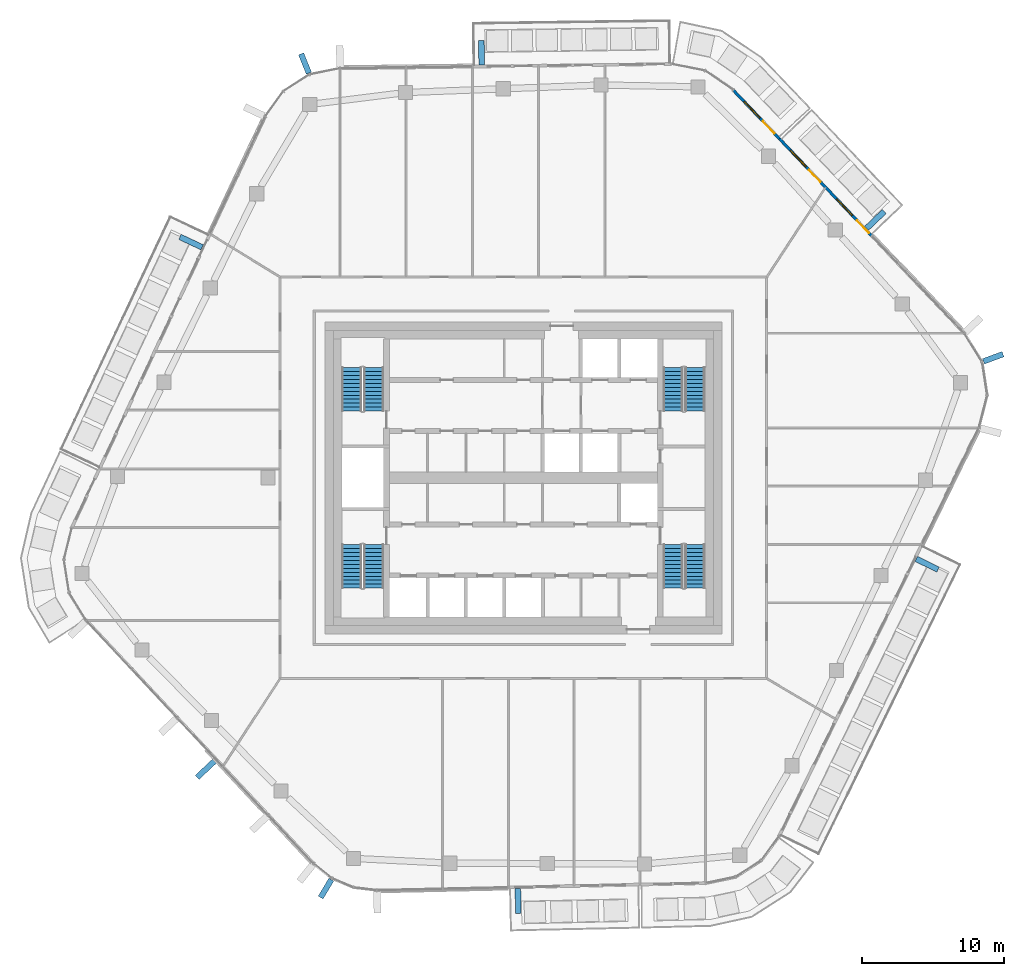
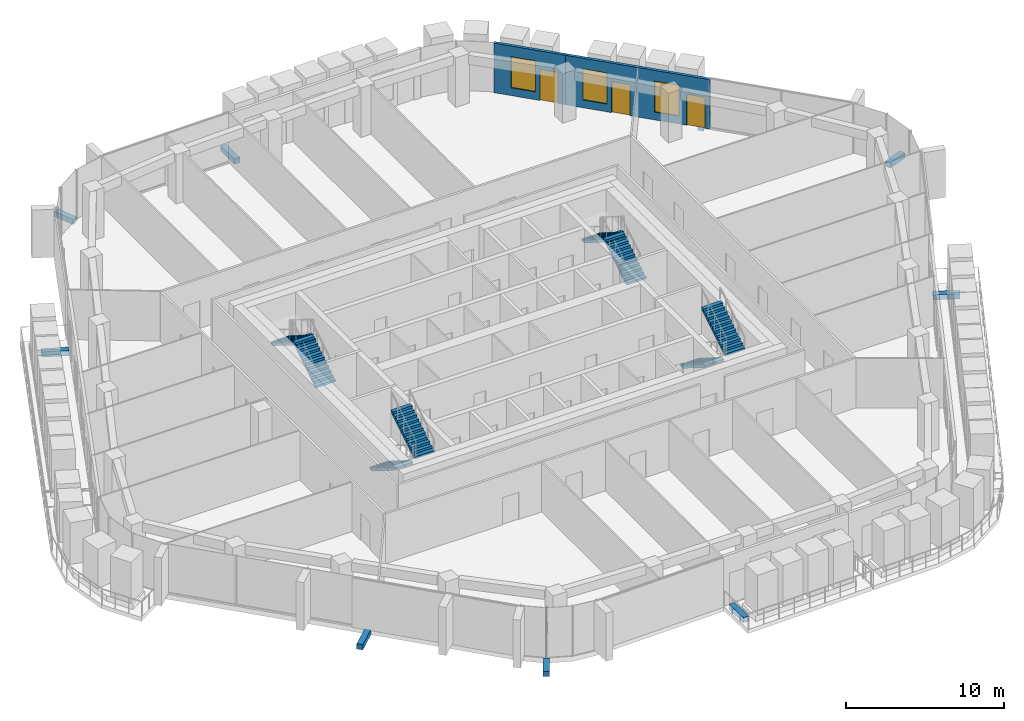
# One storey, part 17 of 23: 9 discrete accessories, 8 stair flights, 3 doors, 3 windows, 2 walls, 6 openings, 4 elements without a shape of their own.
"""IFC4 building model written with IfcOpenShell, lengths in metres."""

from ifc_helpers import new_model, si_unit, direction, frame, frame_2d, origin, origin_2d, place, context, subcontext, project, spatial, polyline, rectangle, outline, extrude, material, layer, layer_set, type_object, element, fill, aggregate, save


model = new_model("IFC4")

# Units and contexts
model_context = context("Model", 3, precision=1e-05, world=origin(), true_north=direction((0.0, 1.0)))
body_context = subcontext(model_context, "Body", "Model", "MODEL_VIEW")
ifc_project = project(units=[si_unit("LENGTHUNIT", "METRE"), si_unit("AREAUNIT", "SQUARE_METRE"), si_unit("VOLUMEUNIT", "CUBIC_METRE"), si_unit("PLANEANGLEUNIT", "RADIAN"), si_unit("MASSUNIT", "GRAM", prefix="KILO")], contexts=[model_context])

# Site, building, storey
site_placement = place(None, origin())
site = spatial("IfcSite", under=ifc_project, at=site_placement, CompositionType="ELEMENT")
building_placement = place(site_placement, origin())
building = spatial("IfcBuilding", under=site, at=building_placement, Name="Dongbaek Canopy Tower", CompositionType="ELEMENT")
storey_placement = place(building_placement, frame((0.0, 0.0, 336.199951171875)))
storey = spatial("IfcBuildingStorey", under=building, at=storey_placement, Name="L72", CompositionType="ELEMENT", Elevation=336.199951171875)

# Wall, openings, doors, windows
ifc_material_1 = material(Name="Aluminium window wall", Category="aluminium")
ifc_layer_1 = layer(ifc_material_1, 0.199951171875)
ifc_layer_set_1 = layer_set([ifc_layer_1], Name="Window wall 200")
wall_type = type_object("IfcWallType", Name="Window wall 200", PredefinedType="SOLIDWALL", material=ifc_layer_set_1)
wall_1_placement = place(storey_placement, frame((24.5634765625, 17.048583984375, 0.0), z_axis=(0.0, 0.0, 1.0), x_axis=(-0.688807081371, 0.724944690755, 0.0)))
wall_1 = element("IfcWall", 1, at=wall_1_placement, inside=storey, type_object=wall_type, Name="Window wall L72 1", PredefinedType="SOLIDWALL", context=body_context, shape_type="SweptSolid", body=[
    extrude(rectangle(XDim=9.46484375, YDim=0.199951171875, at=frame_2d((4.732421875, 0.0))), origin(), (0.0, 0.0, 1.0), 3.820068359375),
])
opening_1_placement = place(wall_1_placement, frame((2.0, 0.0, 0.60009765625)))
opening_1 = element("IfcOpeningElement", 2, at=opening_1_placement, cuts=wall_1, Name="Opening W1", PredefinedType="OPENING", context=body_context, shape_type="SweptSolid", body=[
    extrude(rectangle(XDim=1.60009765625, YDim=2.39990234375, at=frame_2d((0.800048828125, 1.199951171875))), frame((0.0, 0.10986328125, 0.0), z_axis=(0.0, -1.0, 0.0), x_axis=(1.0, 0.0, 0.0)), (0.0, 0.0, 1.0), 0.219970703125),
])
opening_2_placement = place(wall_1_placement, frame((0.300048828125, 0.0, 0.0)))
opening_2 = element("IfcOpeningElement", 3, at=opening_2_placement, cuts=wall_1, Name="Opening L72-B01", PredefinedType="OPENING", context=body_context, shape_type="SweptSolid", body=[
    extrude(rectangle(XDim=1.199951171875, YDim=2.39990234375, at=frame_2d((0.60009765625, 1.199951171875))), frame((0.0, 0.10986328125, 0.0), z_axis=(0.0, -1.0, 0.0), x_axis=(1.0, 0.0, 0.0)), (0.0, 0.0, 1.0), 0.219970703125),
])
opening_3_placement = place(wall_1_placement, frame((6.732666015625, 0.0, 0.60009765625)))
opening_3 = element("IfcOpeningElement", 4, at=opening_3_placement, cuts=wall_1, Name="Opening W1", PredefinedType="OPENING", context=body_context, shape_type="SweptSolid", body=[
    extrude(rectangle(XDim=1.60009765625, YDim=2.39990234375, at=frame_2d((0.800048828125, 1.199951171875))), frame((0.0, 0.10986328125, 0.0), z_axis=(0.0, -1.0, 0.0), x_axis=(1.0, 0.0, 0.0)), (0.0, 0.0, 1.0), 0.219970703125),
])
opening_4_placement = place(wall_1_placement, frame((5.232666015625, 0.0, 0.0)))
opening_4 = element("IfcOpeningElement", 5, at=opening_4_placement, cuts=wall_1, Name="Opening L72-B02", PredefinedType="OPENING", context=body_context, shape_type="SweptSolid", body=[
    extrude(rectangle(XDim=1.199951171875, YDim=2.39990234375, at=frame_2d((0.60009765625, 1.199951171875))), frame((0.0, 0.10986328125, 0.0), z_axis=(0.0, -1.0, 0.0), x_axis=(1.0, 0.0, 0.0)), (0.0, 0.0, 1.0), 0.219970703125),
])
ifc_material_2 = material(Name="Clear glazing in aluminium frame", Category="aluminium")
door_type = type_object("IfcDoorType", Name="Balcony door BD1 1200 x 2400", OperationType="SLIDING_TO_LEFT", PredefinedType="DOOR", material=ifc_material_2)
door_1_placement = place(opening_2_placement, origin())
door_1 = element("IfcDoor", 6, at=door_1_placement, inside=storey, type_object=door_type, Name="Balcony door L72-B01", OperationType="SLIDING_TO_LEFT", OverallHeight=2.39990234375, OverallWidth=1.199951171875, PredefinedType="DOOR", context=body_context, shape_type="SweptSolid", body=[
    extrude(rectangle(XDim=1.199951171875, YDim=2.39990234375, at=frame_2d((0.60009765625, 1.199951171875))), frame((0.0, 0.02490234375, 0.0), z_axis=(0.0, -1.0, 0.0), x_axis=(1.0, 0.0, 0.0)), (0.0, 0.0, 1.0), 0.050048828125),
])
fill(opening_2, door_1)
door_2_placement = place(opening_4_placement, origin())
door_2 = element("IfcDoor", 7, at=door_2_placement, inside=storey, type_object=door_type, Name="Balcony door L72-B02", OperationType="SLIDING_TO_LEFT", OverallHeight=2.39990234375, OverallWidth=1.199951171875, PredefinedType="DOOR", context=body_context, shape_type="SweptSolid", body=[
    extrude(rectangle(XDim=1.199951171875, YDim=2.39990234375, at=frame_2d((0.60009765625, 1.199951171875))), frame((0.0, 0.02490234375, 0.0), z_axis=(0.0, -1.0, 0.0), x_axis=(1.0, 0.0, 0.0)), (0.0, 0.0, 1.0), 0.050048828125),
])
fill(opening_4, door_2)
ifc_material_3 = material(Name="Clear glazing in aluminium frame", Category="aluminium")
window_type = type_object("IfcWindowType", Name="Window W1 1600 x 2400", PartitioningType="SINGLE_PANEL", PredefinedType="WINDOW", material=ifc_material_3)
window_1_placement = place(opening_1_placement, origin())
window_1 = element("IfcWindow", 8, at=window_1_placement, inside=storey, type_object=window_type, Name="Window L72 1.1", OverallHeight=2.39990234375, OverallWidth=1.60009765625, PartitioningType="SINGLE_PANEL", PredefinedType="WINDOW", context=body_context, shape_type="SweptSolid", body=[
    extrude(rectangle(XDim=1.60009765625, YDim=2.39990234375, at=frame_2d((0.800048828125, 1.199951171875))), frame((0.0, 0.030029296875, 0.0), z_axis=(0.0, -1.0, 0.0), x_axis=(1.0, 0.0, 0.0)), (0.0, 0.0, 1.0), 0.06005859375),
])
fill(opening_1, window_1)
window_2_placement = place(opening_3_placement, origin())
window_2 = element("IfcWindow", 9, at=window_2_placement, inside=storey, type_object=window_type, Name="Window L72 1.2", OverallHeight=2.39990234375, OverallWidth=1.60009765625, PartitioningType="SINGLE_PANEL", PredefinedType="WINDOW", context=body_context, shape_type="SweptSolid", body=[
    extrude(rectangle(XDim=1.60009765625, YDim=2.39990234375, at=frame_2d((0.800048828125, 1.199951171875))), frame((0.0, 0.030029296875, 0.0), z_axis=(0.0, -1.0, 0.0), x_axis=(1.0, 0.0, 0.0)), (0.0, 0.0, 1.0), 0.06005859375),
])
fill(opening_3, window_2)

# Wall, openings, door, window
wall_2_placement = place(storey_placement, frame((18.0439453125, 23.91015625, 0.0), z_axis=(0.0, 0.0, 1.0), x_axis=(-0.688806527413, 0.724945217098, 0.0)))
wall_2 = element("IfcWall", 10, at=wall_2_placement, inside=storey, type_object=wall_type, Name="Window wall L72 6", PredefinedType="SOLIDWALL", context=body_context, shape_type="SweptSolid", body=[
    extrude(rectangle(XDim=4.72216796875, YDim=0.199951171875, at=frame_2d((2.361083984375, 0.0))), origin(), (0.0, 0.0, 1.0), 3.820068359375),
])
opening_5_placement = place(wall_2_placement, frame((2.0, 0.0, 0.60009765625)))
opening_5 = element("IfcOpeningElement", 11, at=opening_5_placement, cuts=wall_2, Name="Opening W1", PredefinedType="OPENING", context=body_context, shape_type="SweptSolid", body=[
    extrude(rectangle(XDim=1.60009765625, YDim=2.39990234375, at=frame_2d((0.800048828125, 1.199951171875))), frame((0.0, 0.10986328125, 0.0), z_axis=(0.0, -1.0, 0.0), x_axis=(1.0, 0.0, 0.0)), (0.0, 0.0, 1.0), 0.219970703125),
])
opening_6_placement = place(wall_2_placement, frame((0.5, 0.0, 0.0)))
opening_6 = element("IfcOpeningElement", 12, at=opening_6_placement, cuts=wall_2, Name="Opening L72-B03", PredefinedType="OPENING", context=body_context, shape_type="SweptSolid", body=[
    extrude(rectangle(XDim=1.199951171875, YDim=2.39990234375, at=frame_2d((0.60009765625, 1.199951171875))), frame((0.0, 0.10986328125, 0.0), z_axis=(0.0, -1.0, 0.0), x_axis=(1.0, 0.0, 0.0)), (0.0, 0.0, 1.0), 0.219970703125),
])
door_3_placement = place(opening_6_placement, origin())
door_3 = element("IfcDoor", 13, at=door_3_placement, inside=storey, type_object=door_type, Name="Balcony door L72-B03", OperationType="SLIDING_TO_LEFT", OverallHeight=2.39990234375, OverallWidth=1.199951171875, PredefinedType="DOOR", context=body_context, shape_type="SweptSolid", body=[
    extrude(rectangle(XDim=1.199951171875, YDim=2.39990234375, at=frame_2d((0.60009765625, 1.199951171875))), frame((0.0, 0.02490234375, 0.0), z_axis=(0.0, -1.0, 0.0), x_axis=(1.0, 0.0, 0.0)), (0.0, 0.0, 1.0), 0.050048828125),
])
fill(opening_6, door_3)
window_3_placement = place(opening_5_placement, origin())
window_3 = element("IfcWindow", 14, at=window_3_placement, inside=storey, type_object=window_type, Name="Window L72 6.1", OverallHeight=2.39990234375, OverallWidth=1.60009765625, PartitioningType="SINGLE_PANEL", PredefinedType="WINDOW", context=body_context, shape_type="SweptSolid", body=[
    extrude(rectangle(XDim=1.60009765625, YDim=2.39990234375, at=frame_2d((0.800048828125, 1.199951171875))), frame((0.0, 0.030029296875, 0.0), z_axis=(0.0, -1.0, 0.0), x_axis=(1.0, 0.0, 0.0)), (0.0, 0.0, 1.0), 0.06005859375),
])
fill(opening_5, window_3)

# Stair, stair flights
ifc_material_4 = material(Name="Concrete C40/50", Category="concrete")
stair_type = type_object("IfcStairType", Name="Core exit stair", PredefinedType="HALF_TURN_STAIR", material=ifc_material_4)
stair_1_placement = place(storey_placement, origin())
stair_1 = element("IfcStair", 15, at=stair_1_placement, inside=storey, type_object=stair_type, Name="L72 exit stair A", PredefinedType="HALF_TURN_STAIR")
ifc_material_5 = material(Name="Concrete C40/50", Category="concrete")
ifc_layer_2 = layer(ifc_material_5, 0.14990234375)
ifc_layer_set_2 = layer_set([ifc_layer_2], Name="Core stair flight 150 waist")
stair_flight_type = type_object("IfcStairFlightType", Name="Core stair flight 150 waist", PredefinedType="STRAIGHT", material=ifc_layer_set_2)
stair_flight_1_placement = place(storey_placement, frame((12.10009765625, 4.699951171875, 0.0), z_axis=(0.0, 0.0, 1.0), x_axis=(0.0, 1.0, 0.0)))
stair_flight_1 = element("IfcStairFlight", 16, at=stair_flight_1_placement, type_object=stair_flight_type, Name="ST-A flight 1", NumberOfRisers=12, NumberOfTreads=11, PredefinedType="STRAIGHT", RiserHeight=0.175, TreadLength=0.28, context=body_context, shape_type="SweptSolid", body=[
    extrude(outline(polyline([(0.0, 0.0), (0.0, 0.175048828125), (0.280029296875, 0.175048828125), (0.280029296875, 0.35009765625), (0.56005859375, 0.35009765625), (0.56005859375, 0.52490234375), (0.840087890625, 0.52490234375), (0.840087890625, 0.699951171875), (1.1201171875, 0.699951171875), (1.1201171875, 0.875), (1.39990234375, 0.875), (1.39990234375, 1.050048828125), (1.679931640625, 1.050048828125), (1.679931640625, 1.22509765625), (1.9599609375, 1.22509765625), (1.9599609375, 1.39990234375), (2.239990234375, 1.39990234375), (2.239990234375, 1.574951171875), (2.52001953125, 1.574951171875), (2.52001953125, 1.75), (2.800048828125, 1.75), (2.800048828125, 1.925048828125), (3.080078125, 1.925048828125), (3.080078125, 2.10009765625), (3.080078125, 1.748291015625), (0.28271484375, 0.0), (0.0, 0.0)])), frame((0.0, 0.699951171875, 0.0), z_axis=(0.0, -1.0, 0.0), x_axis=(1.0, 0.0, 0.0)), (0.0, 0.0, 1.0), 1.39990234375),
])
stair_flight_2_placement = place(storey_placement, frame((10.550048828125, 7.780029296875, 2.10009765625), z_axis=(0.0, 0.0, 1.0), x_axis=(0.0, -1.0, 0.0)))
stair_flight_2 = element("IfcStairFlight", 17, at=stair_flight_2_placement, type_object=stair_flight_type, Name="ST-A flight 2", NumberOfRisers=12, NumberOfTreads=11, PredefinedType="STRAIGHT", RiserHeight=0.175, TreadLength=0.28, context=body_context, shape_type="SweptSolid", body=[
    extrude(outline(polyline([(0.0, 0.0), (0.0, 0.175048828125), (0.280029296875, 0.175048828125), (0.280029296875, 0.35009765625), (0.56005859375, 0.35009765625), (0.56005859375, 0.52490234375), (0.840087890625, 0.52490234375), (0.840087890625, 0.699951171875), (1.1201171875, 0.699951171875), (1.1201171875, 0.875), (1.39990234375, 0.875), (1.39990234375, 1.050048828125), (1.679931640625, 1.050048828125), (1.679931640625, 1.22509765625), (1.9599609375, 1.22509765625), (1.9599609375, 1.39990234375), (2.239990234375, 1.39990234375), (2.239990234375, 1.574951171875), (2.52001953125, 1.574951171875), (2.52001953125, 1.75), (2.800048828125, 1.75), (2.800048828125, 1.925048828125), (3.080078125, 1.925048828125), (3.080078125, 2.10009765625), (3.080078125, 1.748291015625), (0.28271484375, 0.0), (0.0, 0.0)])), frame((0.0, 0.699951171875, 0.0), z_axis=(0.0, -1.0, 0.0), x_axis=(1.0, 0.0, 0.0)), (0.0, 0.0, 1.0), 1.39990234375),
])
aggregate(stair_1, [stair_flight_1, stair_flight_2])

stair_2_placement = place(storey_placement, origin())
stair_2 = element("IfcStair", 18, at=stair_2_placement, inside=storey, type_object=stair_type, Name="L72 exit stair C", PredefinedType="HALF_TURN_STAIR")
stair_flight_3_placement = place(storey_placement, frame((-10.550048828125, 4.699951171875, 0.0), z_axis=(0.0, 0.0, 1.0), x_axis=(0.0, 1.0, 0.0)))
stair_flight_3 = element("IfcStairFlight", 19, at=stair_flight_3_placement, type_object=stair_flight_type, Name="ST-C flight 1", NumberOfRisers=12, NumberOfTreads=11, PredefinedType="STRAIGHT", RiserHeight=0.175, TreadLength=0.28, context=body_context, shape_type="SweptSolid", body=[
    extrude(outline(polyline([(0.0, 0.0), (0.0, 0.175048828125), (0.280029296875, 0.175048828125), (0.280029296875, 0.35009765625), (0.56005859375, 0.35009765625), (0.56005859375, 0.52490234375), (0.840087890625, 0.52490234375), (0.840087890625, 0.699951171875), (1.1201171875, 0.699951171875), (1.1201171875, 0.875), (1.39990234375, 0.875), (1.39990234375, 1.050048828125), (1.679931640625, 1.050048828125), (1.679931640625, 1.22509765625), (1.9599609375, 1.22509765625), (1.9599609375, 1.39990234375), (2.239990234375, 1.39990234375), (2.239990234375, 1.574951171875), (2.52001953125, 1.574951171875), (2.52001953125, 1.75), (2.800048828125, 1.75), (2.800048828125, 1.925048828125), (3.080078125, 1.925048828125), (3.080078125, 2.10009765625), (3.080078125, 1.748291015625), (0.28271484375, 0.0), (0.0, 0.0)])), frame((0.0, 0.699951171875, 0.0), z_axis=(0.0, -1.0, 0.0), x_axis=(1.0, 0.0, 0.0)), (0.0, 0.0, 1.0), 1.39990234375),
])
stair_flight_4_placement = place(storey_placement, frame((-12.10009765625, 7.780029296875, 2.10009765625), z_axis=(0.0, 0.0, 1.0), x_axis=(0.0, -1.0, 0.0)))
stair_flight_4 = element("IfcStairFlight", 20, at=stair_flight_4_placement, type_object=stair_flight_type, Name="ST-C flight 2", NumberOfRisers=12, NumberOfTreads=11, PredefinedType="STRAIGHT", RiserHeight=0.175, TreadLength=0.28, context=body_context, shape_type="SweptSolid", body=[
    extrude(outline(polyline([(0.0, 0.0), (0.0, 0.175048828125), (0.280029296875, 0.175048828125), (0.280029296875, 0.35009765625), (0.56005859375, 0.35009765625), (0.56005859375, 0.52490234375), (0.840087890625, 0.52490234375), (0.840087890625, 0.699951171875), (1.1201171875, 0.699951171875), (1.1201171875, 0.875), (1.39990234375, 0.875), (1.39990234375, 1.050048828125), (1.679931640625, 1.050048828125), (1.679931640625, 1.22509765625), (1.9599609375, 1.22509765625), (1.9599609375, 1.39990234375), (2.239990234375, 1.39990234375), (2.239990234375, 1.574951171875), (2.52001953125, 1.574951171875), (2.52001953125, 1.75), (2.800048828125, 1.75), (2.800048828125, 1.925048828125), (3.080078125, 1.925048828125), (3.080078125, 2.10009765625), (3.080078125, 1.748291015625), (0.28271484375, 0.0), (0.0, 0.0)])), frame((0.0, 0.699951171875, 0.0), z_axis=(0.0, -1.0, 0.0), x_axis=(1.0, 0.0, 0.0)), (0.0, 0.0, 1.0), 1.39990234375),
])
aggregate(stair_2, [stair_flight_3, stair_flight_4])

stair_3_placement = place(storey_placement, origin())
stair_3 = element("IfcStair", 21, at=stair_3_placement, inside=storey, type_object=stair_type, Name="L72 exit stair B", PredefinedType="HALF_TURN_STAIR")
stair_flight_5_placement = place(storey_placement, frame((10.550048828125, -4.699951171875, 0.0), z_axis=(0.0, 0.0, 1.0), x_axis=(0.0, -1.0, 0.0)))
stair_flight_5 = element("IfcStairFlight", 22, at=stair_flight_5_placement, type_object=stair_flight_type, Name="ST-B flight 1", NumberOfRisers=12, NumberOfTreads=11, PredefinedType="STRAIGHT", RiserHeight=0.175, TreadLength=0.28, context=body_context, shape_type="SweptSolid", body=[
    extrude(outline(polyline([(0.0, 0.0), (0.0, 0.175048828125), (0.280029296875, 0.175048828125), (0.280029296875, 0.35009765625), (0.56005859375, 0.35009765625), (0.56005859375, 0.52490234375), (0.840087890625, 0.52490234375), (0.840087890625, 0.699951171875), (1.1201171875, 0.699951171875), (1.1201171875, 0.875), (1.39990234375, 0.875), (1.39990234375, 1.050048828125), (1.679931640625, 1.050048828125), (1.679931640625, 1.22509765625), (1.9599609375, 1.22509765625), (1.9599609375, 1.39990234375), (2.239990234375, 1.39990234375), (2.239990234375, 1.574951171875), (2.52001953125, 1.574951171875), (2.52001953125, 1.75), (2.800048828125, 1.75), (2.800048828125, 1.925048828125), (3.080078125, 1.925048828125), (3.080078125, 2.10009765625), (3.080078125, 1.748291015625), (0.28271484375, 0.0), (0.0, 0.0)])), frame((0.0, 0.699951171875, 0.0), z_axis=(0.0, -1.0, 0.0), x_axis=(1.0, 0.0, 0.0)), (0.0, 0.0, 1.0), 1.39990234375),
])
stair_flight_6_placement = place(storey_placement, frame((12.10009765625, -7.780029296875, 2.10009765625), z_axis=(0.0, 0.0, 1.0), x_axis=(0.0, 1.0, 0.0)))
stair_flight_6 = element("IfcStairFlight", 23, at=stair_flight_6_placement, type_object=stair_flight_type, Name="ST-B flight 2", NumberOfRisers=12, NumberOfTreads=11, PredefinedType="STRAIGHT", RiserHeight=0.175, TreadLength=0.28, context=body_context, shape_type="SweptSolid", body=[
    extrude(outline(polyline([(0.0, 0.0), (0.0, 0.175048828125), (0.280029296875, 0.175048828125), (0.280029296875, 0.35009765625), (0.56005859375, 0.35009765625), (0.56005859375, 0.52490234375), (0.840087890625, 0.52490234375), (0.840087890625, 0.699951171875), (1.1201171875, 0.699951171875), (1.1201171875, 0.875), (1.39990234375, 0.875), (1.39990234375, 1.050048828125), (1.679931640625, 1.050048828125), (1.679931640625, 1.22509765625), (1.9599609375, 1.22509765625), (1.9599609375, 1.39990234375), (2.239990234375, 1.39990234375), (2.239990234375, 1.574951171875), (2.52001953125, 1.574951171875), (2.52001953125, 1.75), (2.800048828125, 1.75), (2.800048828125, 1.925048828125), (3.080078125, 1.925048828125), (3.080078125, 2.10009765625), (3.080078125, 1.748291015625), (0.28271484375, 0.0), (0.0, 0.0)])), frame((0.0, 0.699951171875, 0.0), z_axis=(0.0, -1.0, 0.0), x_axis=(1.0, 0.0, 0.0)), (0.0, 0.0, 1.0), 1.39990234375),
])
aggregate(stair_3, [stair_flight_5, stair_flight_6])

stair_4_placement = place(storey_placement, origin())
stair_4 = element("IfcStair", 24, at=stair_4_placement, inside=storey, type_object=stair_type, Name="L72 exit stair D", PredefinedType="HALF_TURN_STAIR")
stair_flight_7_placement = place(storey_placement, frame((-12.10009765625, -4.699951171875, 0.0), z_axis=(0.0, 0.0, 1.0), x_axis=(0.0, -1.0, 0.0)))
stair_flight_7 = element("IfcStairFlight", 25, at=stair_flight_7_placement, type_object=stair_flight_type, Name="ST-D flight 1", NumberOfRisers=12, NumberOfTreads=11, PredefinedType="STRAIGHT", RiserHeight=0.175, TreadLength=0.28, context=body_context, shape_type="SweptSolid", body=[
    extrude(outline(polyline([(0.0, 0.0), (0.0, 0.175048828125), (0.280029296875, 0.175048828125), (0.280029296875, 0.35009765625), (0.56005859375, 0.35009765625), (0.56005859375, 0.52490234375), (0.840087890625, 0.52490234375), (0.840087890625, 0.699951171875), (1.1201171875, 0.699951171875), (1.1201171875, 0.875), (1.39990234375, 0.875), (1.39990234375, 1.050048828125), (1.679931640625, 1.050048828125), (1.679931640625, 1.22509765625), (1.9599609375, 1.22509765625), (1.9599609375, 1.39990234375), (2.239990234375, 1.39990234375), (2.239990234375, 1.574951171875), (2.52001953125, 1.574951171875), (2.52001953125, 1.75), (2.800048828125, 1.75), (2.800048828125, 1.925048828125), (3.080078125, 1.925048828125), (3.080078125, 2.10009765625), (3.080078125, 1.748291015625), (0.28271484375, 0.0), (0.0, 0.0)])), frame((0.0, 0.699951171875, 0.0), z_axis=(0.0, -1.0, 0.0), x_axis=(1.0, 0.0, 0.0)), (0.0, 0.0, 1.0), 1.39990234375),
])
stair_flight_8_placement = place(storey_placement, frame((-10.550048828125, -7.780029296875, 2.10009765625), z_axis=(0.0, 0.0, 1.0), x_axis=(0.0, 1.0, 0.0)))
stair_flight_8 = element("IfcStairFlight", 26, at=stair_flight_8_placement, type_object=stair_flight_type, Name="ST-D flight 2", NumberOfRisers=12, NumberOfTreads=11, PredefinedType="STRAIGHT", RiserHeight=0.175, TreadLength=0.28, context=body_context, shape_type="SweptSolid", body=[
    extrude(outline(polyline([(0.0, 0.0), (0.0, 0.175048828125), (0.280029296875, 0.175048828125), (0.280029296875, 0.35009765625), (0.56005859375, 0.35009765625), (0.56005859375, 0.52490234375), (0.840087890625, 0.52490234375), (0.840087890625, 0.699951171875), (1.1201171875, 0.699951171875), (1.1201171875, 0.875), (1.39990234375, 0.875), (1.39990234375, 1.050048828125), (1.679931640625, 1.050048828125), (1.679931640625, 1.22509765625), (1.9599609375, 1.22509765625), (1.9599609375, 1.39990234375), (2.239990234375, 1.39990234375), (2.239990234375, 1.574951171875), (2.52001953125, 1.574951171875), (2.52001953125, 1.75), (2.800048828125, 1.75), (2.800048828125, 1.925048828125), (3.080078125, 1.925048828125), (3.080078125, 2.10009765625), (3.080078125, 1.748291015625), (0.28271484375, 0.0), (0.0, 0.0)])), frame((0.0, 0.699951171875, 0.0), z_axis=(0.0, -1.0, 0.0), x_axis=(1.0, 0.0, 0.0)), (0.0, 0.0, 1.0), 1.39990234375),
])
aggregate(stair_4, [stair_flight_7, stair_flight_8])

# Discrete accessories
ifc_material_6 = material(Name="Galvanised steel S355 bracket", Category="steel")
discrete_accessory_type = type_object("IfcDiscreteAccessoryType", Name="Crease fin bracket BR3 400", PredefinedType="BRACKET", material=ifc_material_6)
discrete_accessory_1_placement = place(storey_placement, frame((28.46337890625, -6.09326171875, -0.389892578125), z_axis=(0.0, 0.0, 1.0), x_axis=(0.898322224114, -0.439337207238, 0.0)))
element("IfcDiscreteAccessory", 27, at=discrete_accessory_1_placement, inside=storey, type_object=discrete_accessory_type, Name="Crease fin bracket L72 F5", PredefinedType="BRACKET", context=body_context, shape_type="SweptSolid", body=[
    extrude(rectangle(XDim=1.71142578125, YDim=0.39990234375, at=origin_2d()), origin(), (0.0, 0.0, 1.0), 0.39990234375),
])
discrete_accessory_2_placement = place(storey_placement, frame((24.810791015625, 18.17822265625, -0.389892578125), z_axis=(0.0, 0.0, 1.0), x_axis=(0.724939317516, 0.688812736467, 0.0)))
element("IfcDiscreteAccessory", 28, at=discrete_accessory_2_placement, inside=storey, type_object=discrete_accessory_type, Name="Crease fin bracket L72 F0", PredefinedType="BRACKET", context=body_context, shape_type="SweptSolid", body=[
    extrude(rectangle(XDim=1.714599609375, YDim=0.39990234375, at=origin_2d()), origin(), (0.0, 0.0, 1.0), 0.39990234375),
])
discrete_accessory_3_placement = place(storey_placement, frame((-2.9541015625, 29.9619140625, -0.389892578125), z_axis=(0.0, 0.0, 1.0), x_axis=(-0.013164638263, 0.999913342395, 0.0)))
element("IfcDiscreteAccessory", 29, at=discrete_accessory_3_placement, inside=storey, type_object=discrete_accessory_type, Name="Crease fin bracket L72 F1", PredefinedType="BRACKET", context=body_context, shape_type="SweptSolid", body=[
    extrude(rectangle(XDim=1.72265625, YDim=0.39990234375, at=origin_2d()), origin(), (0.0, 0.0, 1.0), 0.39990234375),
])
discrete_accessory_4_placement = place(storey_placement, frame((-23.43310546875, 16.618408203125, -0.389892578125), z_axis=(0.0, 0.0, 1.0), x_axis=(-0.904958542423, 0.425499749114, 0.0)))
element("IfcDiscreteAccessory", 30, at=discrete_accessory_4_placement, inside=storey, type_object=discrete_accessory_type, Name="Crease fin bracket L72 F2", PredefinedType="BRACKET", context=body_context, shape_type="SweptSolid", body=[
    extrude(rectangle(XDim=1.72412109375, YDim=0.39990234375, at=origin_2d()), origin(), (0.0, 0.0, 1.0), 0.39990234375),
])
discrete_accessory_5_placement = place(storey_placement, frame((-22.3603515625, -20.516357421875, -0.389892578125), z_axis=(0.0, 0.0, 1.0), x_axis=(-0.730438885503, -0.682978063004, 0.0)))
element("IfcDiscreteAccessory", 31, at=discrete_accessory_5_placement, inside=storey, type_object=discrete_accessory_type, Name="Crease fin bracket L72 F3", PredefinedType="BRACKET", context=body_context, shape_type="SweptSolid", body=[
    extrude(rectangle(XDim=1.74755859375, YDim=0.39990234375, at=origin_2d()), origin(), (0.0, 0.0, 1.0), 0.39990234375),
])
discrete_accessory_6_placement = place(storey_placement, frame((-0.372802734375, -29.828857421875, -0.389892578125), z_axis=(0.0, 0.0, 1.0), x_axis=(0.021675291709, -0.999765063267, 0.0)))
element("IfcDiscreteAccessory", 32, at=discrete_accessory_6_placement, inside=storey, type_object=discrete_accessory_type, Name="Crease fin bracket L72 F4", PredefinedType="BRACKET", context=body_context, shape_type="SweptSolid", body=[
    extrude(rectangle(XDim=1.74169921875, YDim=0.39990234375, at=origin_2d()), origin(), (0.0, 0.0, 1.0), 0.39990234375),
])
for number, where, z_axis, x_axis, name in (
    (33, (33.121337890625, 8.463623046875, -0.389892578125), (0.0, 0.0, 1.0), (0.937665304372, 0.347539604905, 0.0), "Corner fin bracket L72 K0"),
    (34, (-15.39892578125, 29.209228515625, -0.389892578125), (0.0, 0.0, 1.0), (-0.376366563283, 0.926470836045, 0.0), "Corner fin bracket L72 K2"),
    (35, (-13.919189453125, -28.956298828125, -0.389892578125), (0.0, 0.0, 1.0), (-0.513063436245, -0.85835069196, 0.0), "Corner fin bracket L72 K4"),
):
    element("IfcDiscreteAccessory", number, at=place(storey_placement, frame(where, z_axis=z_axis, x_axis=x_axis)), inside=storey, type_object=discrete_accessory_type, Name=name, PredefinedType="BRACKET", context=body_context, shape_type="SweptSolid", body=[
        extrude(rectangle(XDim=1.469970703125, YDim=0.39990234375, at=origin_2d()), origin(), (0.0, 0.0, 1.0), 0.39990234375),
    ])

save(model, "model.ifc")
